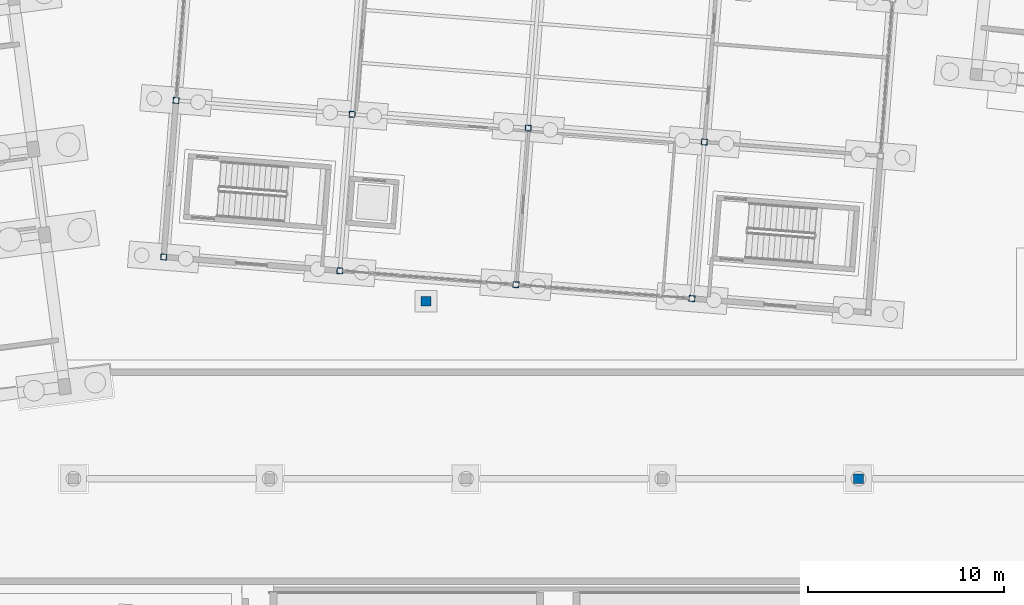
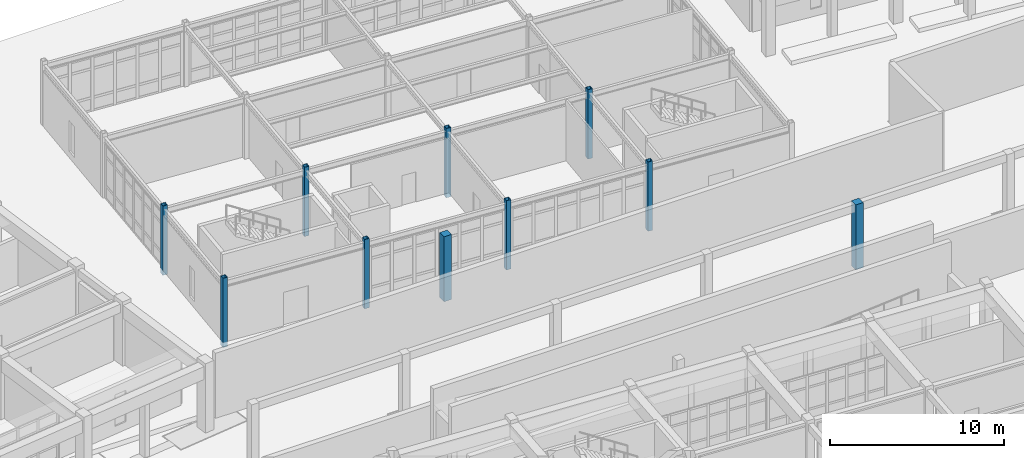
# One storey, part 9 of 154: 10 columns.
"""IFC4 building model written with IfcOpenShell, lengths in metres."""

from ifc_helpers import new_model, si_unit, direction, frame, origin, origin_2d, place, context, subcontext, project, spatial, rectangle, hollow_rectangle, extrude, material, material_profile, profile_set, type_object, element, save


model = new_model("IFC4")

# Units and contexts
model_context = context("Model", 3, precision=1e-05, world=origin(), true_north=direction((0.0, 1.0)))
body_context = subcontext(model_context, "Body", "Model", "MODEL_VIEW")
ifc_project = project(units=[si_unit("LENGTHUNIT", "METRE"), si_unit("AREAUNIT", "SQUARE_METRE"), si_unit("VOLUMEUNIT", "CUBIC_METRE"), si_unit("PLANEANGLEUNIT", "RADIAN"), si_unit("MASSUNIT", "GRAM", prefix="KILO")], contexts=[model_context])

# Site, building, storey
site_placement = place(None, origin())
site = spatial("IfcSite", under=ifc_project, at=site_placement, CompositionType="ELEMENT")
building_placement = place(site_placement, origin())
building = spatial("IfcBuilding", under=site, at=building_placement, Name="Kestramere Prow Commons", CompositionType="ELEMENT")
storey_placement = place(building_placement, origin())
storey = spatial("IfcBuildingStorey", under=building, at=storey_placement, Name="L00", CompositionType="ELEMENT", Elevation=0.0)

# Columns
ifc_material_1 = material(Name="Precast concrete C40/50", Category="concrete")
ifc_material_profile_1 = material_profile(ifc_material_1, rectangle(XDim=0.5, YDim=0.5, at=origin_2d()), Name="PC-COL 500x500")
ifc_profile_set_1 = profile_set([ifc_material_profile_1], Name="Precast concrete C40/50")
column_type_1 = type_object("IfcColumnType", Name="C-CRT-01 PC-COL 500x500", PredefinedType="COLUMN", material=ifc_profile_set_1)
column_1_placement = place(storey_placement, frame((104.0, 74.199951171875, -0.35009765625), z_axis=(0.0, 0.0, 1.0), x_axis=(1.0, 0.0, 0.0)))
element("IfcColumn", 1, at=column_1_placement, inside=storey, type_object=column_type_1, Name="Courtyard Support Column 104-74", PredefinedType="COLUMN", context=body_context, shape_type="SweptSolid", body=[
    extrude(rectangle(XDim=0.5, YDim=0.5, at=origin_2d()), origin(), (0.0, 0.0, 1.0), 4.550048828125),
])
ifc_material_profile_2 = material_profile(ifc_material_1, rectangle(XDim=0.5, YDim=0.5, at=origin_2d()), Name="PC-COL 500x500")
ifc_profile_set_2 = profile_set([ifc_material_profile_2], Name="Precast concrete C40/50")
column_type_2 = type_object("IfcColumnType", Name="C-CRT-01 PC-COL 500x500 (EX)", PredefinedType="COLUMN", material=ifc_profile_set_2)
column_2_placement = place(storey_placement, frame((81.964111328125, 83.244384765625, -0.35009765625), z_axis=(0.0, 0.0, 1.0), x_axis=(1.0, 0.0, 0.0)))
element("IfcColumn", 2, at=column_2_placement, inside=storey, type_object=column_type_2, Name="Courtyard Bridge Support Column NR", PredefinedType="COLUMN", context=body_context, shape_type="SweptSolid", body=[
    extrude(rectangle(XDim=0.5, YDim=0.5, at=origin_2d()), origin(), (0.0, 0.0, 1.0), 4.550048828125),
])
ifc_material_2 = material(Name="Steel S355JR", Category="steel")
ifc_material_profile_3 = material_profile(ifc_material_2, hollow_rectangle(XDim=0.300048828125, YDim=0.300048828125, WallThickness=0.01611328125, at=origin_2d()), Name="SHS 300x300x16")
ifc_profile_set_3 = profile_set([ifc_material_profile_3], Name="Steel S355JR")
column_type_3 = type_object("IfcColumnType", Name="C-NR1 SHS 300x300x16", PredefinedType="COLUMN", material=ifc_profile_set_3)
for number, where, z_axis, x_axis, name in (
    (3, (68.60009765625, 85.5, -0.35009765625), (0.0, 0.0, 1.0), (0.996917333733, -0.078459095728, 0.0), "Nursery L00 Steel Column 1-1"),
    (4, (69.227783203125, 93.475341796875, -0.35009765625), (0.0, 0.0, 1.0), (0.996917333733, -0.078459095728, 0.0), "Nursery L00 Steel Column 1-2"),
    (5, (77.572265625, 84.7939453125, -0.35009765625), (0.0, 0.0, 1.0), (0.996917333733, -0.078459095728, 0.0), "Nursery L00 Steel Column 2-1"),
    (6, (86.54443359375, 84.087646484375, -0.35009765625), (0.0, 0.0, 1.0), (0.996917333733, -0.078459095728, 0.0), "Nursery L00 Steel Column 3-1"),
    (7, (95.516845703125, 83.381591796875, -0.35009765625), (0.0, 0.0, 1.0), (0.996917333733, -0.078459095728, 0.0), "Nursery L00 Steel Column 4-1"),
):
    element("IfcColumn", number, at=place(storey_placement, frame(where, z_axis=z_axis, x_axis=x_axis)), inside=storey, type_object=column_type_3, Name=name, PredefinedType="COLUMN", context=body_context, shape_type="SweptSolid", body=[
        extrude(hollow_rectangle(XDim=0.300048828125, YDim=0.300048828125, WallThickness=0.01611328125, at=origin_2d()), origin(), (0.0, 0.0, 1.0), 4.85009765625),
    ])
ifc_material_profile_4 = material_profile(ifc_material_2, hollow_rectangle(XDim=0.300048828125, YDim=0.300048828125, WallThickness=0.01611328125, at=origin_2d()), Name="SHS 300x300x16")
ifc_profile_set_4 = profile_set([ifc_material_profile_4], Name="Steel S355JR")
column_type_4 = type_object("IfcColumnType", Name="C-NR1 SHS 300x300x16 (IN)", PredefinedType="COLUMN", material=ifc_profile_set_4)
for number, where, z_axis, x_axis, name in (
    (8, (78.199951171875, 92.769287109375, -0.35009765625), (0.0, 0.0, 1.0), (0.996917333733, -0.078459095728, 0.0), "Nursery L00 Steel Column 2-2"),
    (9, (87.172119140625, 92.06298828125, -0.35009765625), (0.0, 0.0, 1.0), (0.996917333733, -0.078459095728, 0.0), "Nursery L00 Steel Column 3-2"),
    (10, (96.14453125, 91.35693359375, -0.35009765625), (0.0, 0.0, 1.0), (0.996917333733, -0.078459095728, 0.0), "Nursery L00 Steel Column 4-2"),
):
    element("IfcColumn", number, at=place(storey_placement, frame(where, z_axis=z_axis, x_axis=x_axis)), inside=storey, type_object=column_type_4, Name=name, PredefinedType="COLUMN", context=body_context, shape_type="SweptSolid", body=[
        extrude(hollow_rectangle(XDim=0.300048828125, YDim=0.300048828125, WallThickness=0.01611328125, at=origin_2d()), origin(), (0.0, 0.0, 1.0), 4.85009765625),
    ])

save(model, "model.ifc")
